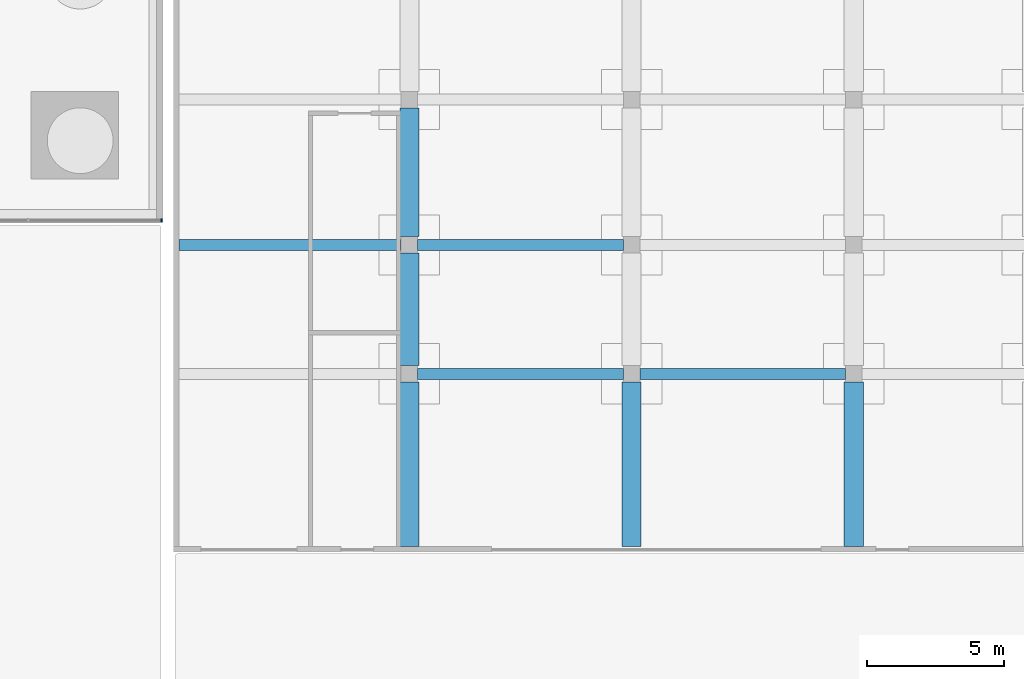
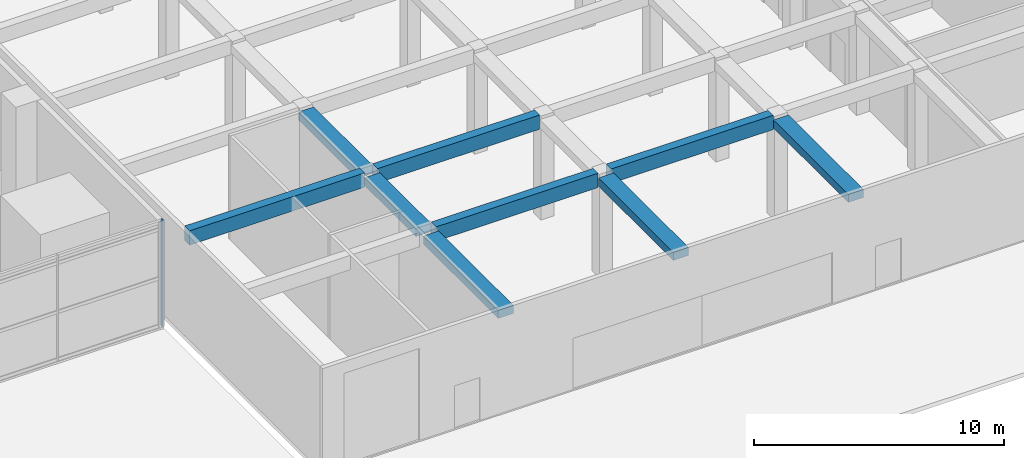
# One storey, part 5 of 33: 9 beams, 1 member, 1 element without a shape of its own.
"""IFC4 building model written with IfcOpenShell, lengths in metres."""

from ifc_helpers import new_model, si_unit, direction, frame, origin, origin_2d, place, context, subcontext, project, spatial, rectangle, extrude, material, material_profile, profile_set, type_object, element, aggregate, save


model = new_model("IFC4")

# Units and contexts
model_context = context("Model", 3, precision=1e-05, world=origin(), true_north=direction((0.0, 1.0)))
body_context = subcontext(model_context, "Body", "Model", "MODEL_VIEW")
ifc_project = project(units=[si_unit("LENGTHUNIT", "METRE"), si_unit("AREAUNIT", "SQUARE_METRE"), si_unit("VOLUMEUNIT", "CUBIC_METRE"), si_unit("PLANEANGLEUNIT", "RADIAN"), si_unit("MASSUNIT", "GRAM", prefix="KILO")], contexts=[model_context])

# Site, building, storey
site_placement = place(None, origin())
site = spatial("IfcSite", under=ifc_project, at=site_placement, CompositionType="ELEMENT")
building_placement = place(site_placement, origin())
building = spatial("IfcBuilding", under=site, at=building_placement, Name="Amberfall Residences", CompositionType="ELEMENT")
storey_placement = place(building_placement, origin())
storey = spatial("IfcBuildingStorey", under=building, at=storey_placement, Name="L00", CompositionType="ELEMENT", Elevation=0.0)

# Curtain wall, member
ifc_material_1 = material(Name="Bronze anodised aluminium and glass", Category="aluminium")
curtain_wall_type = type_object("IfcCurtainWallType", Name="Curtain wall CW4 podium storefront", PredefinedType="USERDEFINED", material=ifc_material_1)
curtain_wall_placement = place(storey_placement, origin())
curtain_wall = element("IfcCurtainWall", 1, at=curtain_wall_placement, inside=storey, type_object=curtain_wall_type, Name="Storefront L00 S7", ObjectType="UNITISED CURTAIN WALL", PredefinedType="USERDEFINED")
ifc_material_2 = material(Name="Bronze anodised aluminium", Category="aluminium")
ifc_material_profile_1 = material_profile(ifc_material_2, rectangle(XDim=0.1201171875, YDim=0.070068359375, at=origin_2d()), Name="CW4 mullion 70 x 120 bronze")
ifc_profile_set_1 = profile_set([ifc_material_profile_1], Name="Bronze anodised aluminium")
member_type = type_object("IfcMemberType", Name="CW4 mullion 70 x 120 bronze", PredefinedType="MULLION", material=ifc_profile_set_1)
member_placement = place(storey_placement, frame((99.965087890625, 20.10009765625, 0.0), z_axis=(0.0, 0.0, 1.0), x_axis=(0.0, 1.0, 0.0)))
member = element("IfcMember", 2, at=member_placement, type_object=member_type, Name="CW4 mullion 3", PredefinedType="MULLION", context=body_context, shape_type="SweptSolid", body=[
    extrude(rectangle(XDim=0.1201171875, YDim=0.070068359375, at=origin_2d()), origin(), (0.0, 0.0, 1.0), 5.199951171875),
])
aggregate(curtain_wall, [member])

# Beams
ifc_material_3 = material(Name="Concrete C50", Category="concrete")
ifc_material_profile_2 = material_profile(ifc_material_3, rectangle(XDim=0.39990234375, YDim=0.699951171875, at=origin_2d()), Name="RC 400x700")
ifc_profile_set_2 = profile_set([ifc_material_profile_2], Name="Concrete C50")
beam_type = type_object("IfcBeamType", Name="Car park beam 400x700 C50", PredefinedType="BEAM", material=ifc_profile_set_2)
for number, where, z_axis, x_axis, name in (
    (3, (109.300048828125, 14.5, 4.72998046875), (1.0, 0.0, 0.0), (0.0, 1.0, 0.0), "Car park beam 400x700 C50 L00 002"),
    (4, (117.39990234375, 14.5, 4.72998046875), (1.0, 0.0, 0.0), (0.0, 1.0, 0.0), "Car park beam 400x700 C50 L00 003"),
):
    element("IfcBeam", number, at=place(storey_placement, frame(where, z_axis=z_axis, x_axis=x_axis)), inside=storey, type_object=beam_type, Name=name, PredefinedType="BEAM", context=body_context, shape_type="SweptSolid", body=[
        extrude(rectangle(XDim=0.39990234375, YDim=0.699951171875, at=origin_2d()), origin(), (0.0, 0.0, 1.0), 7.5),
    ])
beam_1_placement = place(storey_placement, frame((100.60009765625, 19.199951171875, 4.72998046875), z_axis=(1.0, 0.0, 0.0), x_axis=(0.0, 1.0, 0.0)))
element("IfcBeam", 5, at=beam_1_placement, inside=storey, type_object=beam_type, Name="Car park beam 400x700 C50 L00 006", PredefinedType="BEAM", context=body_context, shape_type="SweptSolid", body=[
    extrude(rectangle(XDim=0.39990234375, YDim=0.699951171875, at=origin_2d()), origin(), (0.0, 0.0, 1.0), 8.099853515625),
])
beam_2_placement = place(storey_placement, frame((109.300048828125, 19.199951171875, 4.72998046875), z_axis=(1.0, 0.0, 0.0), x_axis=(0.0, 1.0, 0.0)))
element("IfcBeam", 6, at=beam_2_placement, inside=storey, type_object=beam_type, Name="Car park beam 400x700 C50 L00 007", PredefinedType="BEAM", context=body_context, shape_type="SweptSolid", body=[
    extrude(rectangle(XDim=0.39990234375, YDim=0.699951171875, at=origin_2d()), origin(), (0.0, 0.0, 1.0), 7.5),
])
beam_3_placement = place(storey_placement, frame((109.0, 8.199951171875, 4.72998046875), z_axis=(0.0, 1.0, 0.0), x_axis=(0.0, 0.0, 1.0)))
element("IfcBeam", 7, at=beam_3_placement, inside=storey, type_object=beam_type, Name="Car park beam 400x700 C50 L00 064", PredefinedType="BEAM", context=body_context, shape_type="SweptSolid", body=[
    extrude(rectangle(XDim=0.39990234375, YDim=0.699951171875, at=origin_2d()), origin(), (0.0, 0.0, 1.0), 6.0),
])
beam_4_placement = place(storey_placement, frame((109.0, 14.800048828125, 4.72998046875), z_axis=(0.0, 1.0, 0.0), x_axis=(0.0, 0.0, 1.0)))
element("IfcBeam", 8, at=beam_4_placement, inside=storey, type_object=beam_type, Name="Car park beam 400x700 C50 L00 065", PredefinedType="BEAM", context=body_context, shape_type="SweptSolid", body=[
    extrude(rectangle(XDim=0.39990234375, YDim=0.699951171875, at=origin_2d()), origin(), (0.0, 0.0, 1.0), 4.099853515625),
])
beam_5_placement = place(storey_placement, frame((109.0, 19.5, 4.72998046875), z_axis=(0.0, 1.0, 0.0), x_axis=(0.0, 0.0, 1.0)))
element("IfcBeam", 9, at=beam_5_placement, inside=storey, type_object=beam_type, Name="Car park beam 400x700 C50 L00 066", PredefinedType="BEAM", context=body_context, shape_type="SweptSolid", body=[
    extrude(rectangle(XDim=0.39990234375, YDim=0.699951171875, at=origin_2d()), origin(), (0.0, 0.0, 1.0), 4.699951171875),
])
for number, where, z_axis, x_axis, name in (
    (10, (117.10009765625, 8.199951171875, 4.72998046875), (0.0, 1.0, 0.0), (0.0, 0.0, 1.0), "Car park beam 400x700 C50 L00 078"),
    (11, (125.199951171875, 8.199951171875, 4.72998046875), (0.0, 1.0, 0.0), (0.0, 0.0, 1.0), "Car park beam 400x700 C50 L00 092"),
):
    element("IfcBeam", number, at=place(storey_placement, frame(where, z_axis=z_axis, x_axis=x_axis)), inside=storey, type_object=beam_type, Name=name, PredefinedType="BEAM", context=body_context, shape_type="SweptSolid", body=[
        extrude(rectangle(XDim=0.39990234375, YDim=0.699951171875, at=origin_2d()), origin(), (0.0, 0.0, 1.0), 6.0),
    ])

save(model, "model.ifc")
